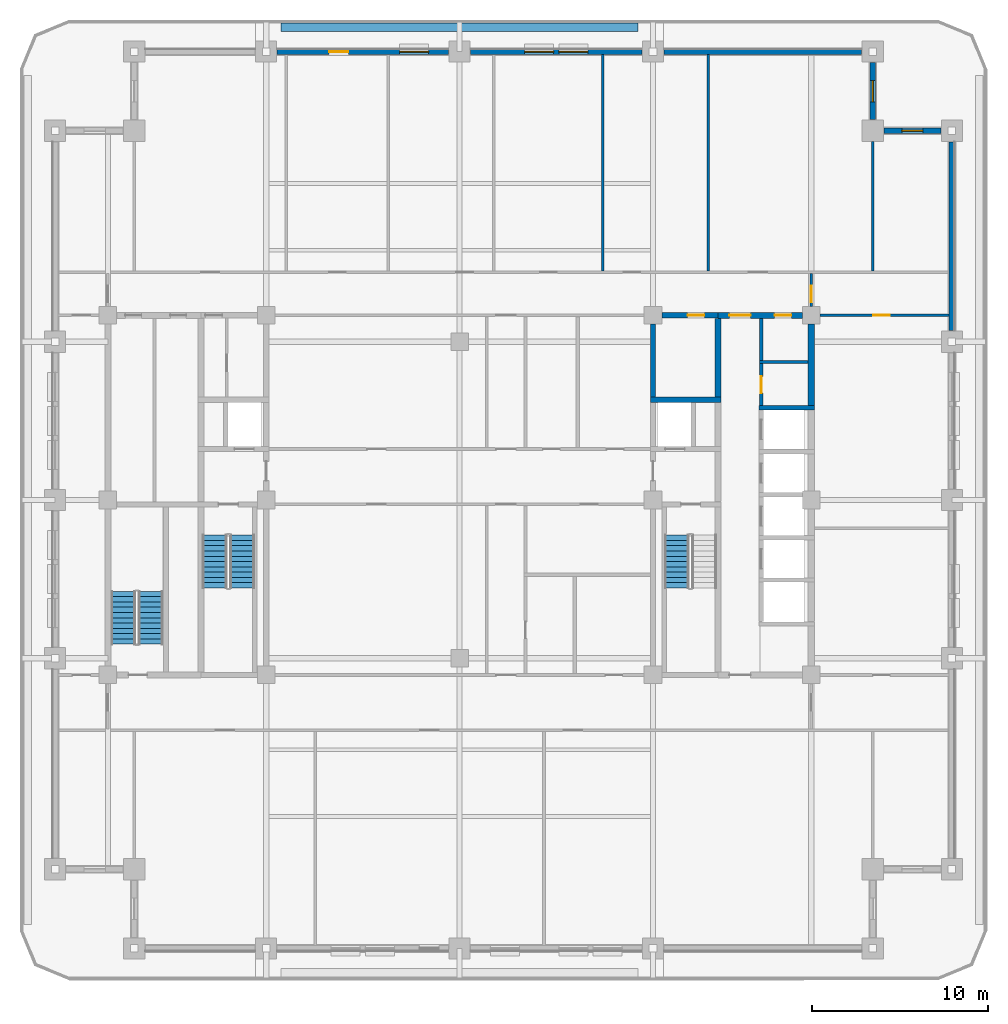
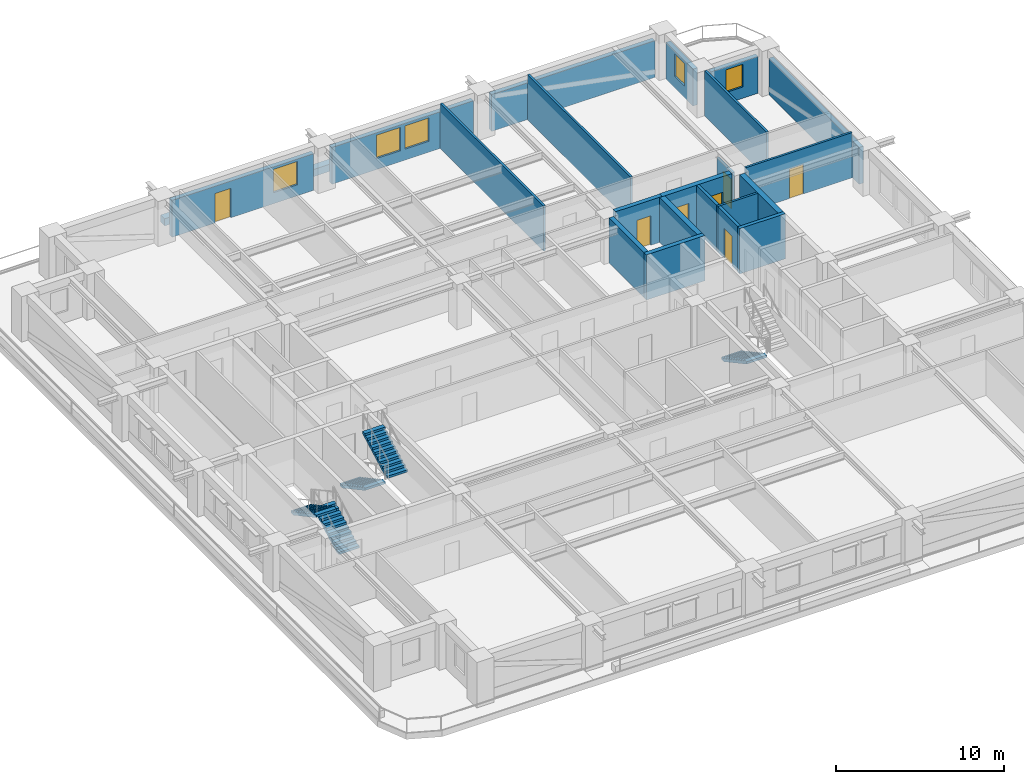
# One storey, part 6 of 14: 22 walls, 7 doors, 5 stair flights, 5 windows, 12 openings, 3 elements without a shape of their own.
"""IFC4 building model written with IfcOpenShell, lengths in metres."""

from ifc_helpers import new_model, si_unit, direction, frame, frame_2d, origin, place, context, subcontext, project, spatial, polyline, rectangle, outline, extrude, material, layer, layer_set, type_object, element, fill, aggregate, save


model = new_model("IFC4")

# Units and contexts
model_context = context("Model", 3, precision=1e-05, world=origin(), true_north=direction((0.0, 1.0)))
body_context = subcontext(model_context, "Body", "Model", "MODEL_VIEW")
ifc_project = project(units=[si_unit("LENGTHUNIT", "METRE"), si_unit("AREAUNIT", "SQUARE_METRE"), si_unit("VOLUMEUNIT", "CUBIC_METRE"), si_unit("PLANEANGLEUNIT", "RADIAN"), si_unit("MASSUNIT", "GRAM", prefix="KILO")], contexts=[model_context])

# Site, building, storey
site_placement = place(None, origin())
site = spatial("IfcSite", under=ifc_project, at=site_placement, CompositionType="ELEMENT")
building_placement = place(site_placement, origin())
building = spatial("IfcBuilding", under=site, at=building_placement, Name="Zulmaris Gate Convention Tower", CompositionType="ELEMENT")
storey_placement = place(building_placement, frame((0.0, 0.0, 94.929931640625)))
storey = spatial("IfcBuildingStorey", under=building, at=storey_placement, Name="L23", CompositionType="ELEMENT", Elevation=94.929931640625)

# Walls
ifc_material_1 = material(Name="Concrete C50/60", Category="concrete")
ifc_layer_1 = layer(ifc_material_1, 0.25, Name="Concrete C50/60")
ifc_layer_set_1 = layer_set([ifc_layer_1], Name="Concrete C50/60")
wall_type_1 = type_object("IfcWallType", Name="CORE-250", PredefinedType="SOLIDWALL", material=ifc_layer_set_1)
wall_1_placement = place(storey_placement, frame((17.02490234375, 5.25, 0.0), z_axis=(0.0, 0.0, 1.0), x_axis=(1.0, 0.0, 0.0)))
element("IfcWall", 1, at=wall_1_placement, inside=storey, type_object=wall_type_1, Name="WL-L23-014", PredefinedType="SOLIDWALL", context=body_context, shape_type="SweptSolid", body=[
    extrude(rectangle(XDim=3.150146484375, YDim=0.25, at=frame_2d((1.5751953125, 0.0))), origin(), (0.0, 0.0, 1.0), 3.295166015625),
])
ifc_layer_2 = layer(ifc_material_1, 0.300048828125, Name="Concrete C50/60")
ifc_layer_set_2 = layer_set([ifc_layer_2], Name="Concrete C50/60")
wall_type_2 = type_object("IfcWallType", Name="CORE-300", PredefinedType="SHEAR", material=ifc_layer_set_2)
wall_2_placement = place(storey_placement, frame((10.85009765625, 5.699951171875, 0.0), z_axis=(0.0, 0.0, 1.0), x_axis=(1.0, 0.0, 0.0)))
element("IfcWall", 2, at=wall_2_placement, inside=storey, type_object=wall_type_2, Name="WL-L23-016", PredefinedType="SHEAR", context=body_context, shape_type="SweptSolid", body=[
    extrude(rectangle(XDim=4.02490234375, YDim=0.300048828125, at=frame_2d((2.012451171875, 0.0))), origin(), (0.0, 0.0, 1.0), 3.295166015625),
])

# Wall, opening, door
wall_3_placement = place(storey_placement, frame((11.50390625, 10.5, 0.0), z_axis=(0.0, 0.0, 1.0), x_axis=(1.0, 0.0, 0.0)))
wall_3 = element("IfcWall", 3, at=wall_3_placement, inside=storey, type_object=wall_type_2, Name="WL-L23-019", PredefinedType="SHEAR", context=body_context, shape_type="SweptSolid", body=[
    extrude(rectangle(XDim=3.196044921875, YDim=0.300048828125, at=frame_2d((1.59814453125, 0.0))), origin(), (0.0, 0.0, 1.0), 3.295166015625),
])
opening_1_placement = place(wall_3_placement, frame((1.470947265625, 0.0, 0.0)))
opening_1 = element("IfcOpeningElement", 4, at=opening_1_placement, cuts=wall_3, Name="Opening D-11", PredefinedType="OPENING", context=body_context, shape_type="SweptSolid", body=[
    extrude(rectangle(XDim=0.949951171875, YDim=2.14990234375, at=frame_2d((0.47509765625, 1.074951171875))), frame((0.0, 0.16015625, 0.0), z_axis=(0.0, -1.0, 0.0), x_axis=(1.0, 0.0, 0.0)), (0.0, 0.0, 1.0), 0.320068359375),
])
ifc_material_2 = material(Name="Fire-Rated Timber", Category="wood")
door_type_1 = type_object("IfcDoorType", Name="DR-950-FD", OperationType="NOTDEFINED", PredefinedType="DOOR", material=ifc_material_2)
door_1_placement = place(opening_1_placement, origin())
door_1 = element("IfcDoor", 5, at=door_1_placement, inside=storey, type_object=door_type_1, Name="L23 Core Tea Pantry Door 09", OperationType="SINGLE_SWING_RIGHT", OverallHeight=2.14990234375, OverallWidth=0.949951171875, PredefinedType="DOOR", context=body_context, shape_type="SweptSolid", body=[
    extrude(rectangle(XDim=0.949951171875, YDim=2.14990234375, at=frame_2d((0.47509765625, 1.074951171875))), frame((0.0, 0.02490234375, 0.0), z_axis=(0.0, -1.0, 0.0), x_axis=(1.0, 0.0, 0.0)), (0.0, 0.0, 1.0), 0.050048828125),
])
fill(opening_1, door_1)

# Wall
wall_4_placement = place(storey_placement, frame((11.0, 5.85205078125, 0.0), z_axis=(0.0, 0.0, 1.0), x_axis=(0.0, 1.0, 0.0)))
element("IfcWall", 6, at=wall_4_placement, inside=storey, type_object=wall_type_2, Name="WL-L23-050", PredefinedType="SHEAR", context=body_context, shape_type="SweptSolid", body=[
    extrude(rectangle(XDim=4.14404296875, YDim=0.300048828125, at=frame_2d((2.072021484375, 0.0))), origin(), (0.0, 0.0, 1.0), 3.295166015625),
])

# Wall, openings, doors
ifc_material_3 = material(Name="Concrete C55/67", Category="concrete")
ifc_layer_3 = layer(ifc_material_3, 0.35009765625, Name="Concrete C55/67")
ifc_layer_set_3 = layer_set([ifc_layer_3], Name="Concrete C55/67")
wall_type_3 = type_object("IfcWallType", Name="CORE-350", PredefinedType="SHEAR", material=ifc_layer_set_3)
wall_5_placement = place(storey_placement, frame((14.699951171875, 10.5, 0.0), z_axis=(0.0, 0.0, 1.0), x_axis=(1.0, 0.0, 0.0)))
wall_5 = element("IfcWall", 7, at=wall_5_placement, inside=storey, type_object=wall_type_3, Name="WL-L23-020", PredefinedType="SHEAR", context=body_context, shape_type="SweptSolid", body=[
    extrude(rectangle(XDim=4.796142578125, YDim=0.35009765625, at=frame_2d((2.39794921875, 0.0))), origin(), (0.0, 0.0, 1.0), 3.295166015625),
])
opening_2_placement = place(wall_5_placement, frame((0.64990234375, 0.0, 0.0)))
opening_2 = element("IfcOpeningElement", 8, at=opening_2_placement, cuts=wall_5, Name="Opening D-13", PredefinedType="OPENING", context=body_context, shape_type="SweptSolid", body=[
    extrude(rectangle(XDim=1.199951171875, YDim=2.14990234375, at=frame_2d((0.60009765625, 1.074951171875))), frame((0.0, 0.18505859375, 0.0), z_axis=(0.0, -1.0, 0.0), x_axis=(1.0, 0.0, 0.0)), (0.0, 0.0, 1.0), 0.3701171875),
])
opening_3_placement = place(wall_5_placement, frame((3.22509765625, 0.0, 0.0)))
opening_3 = element("IfcOpeningElement", 9, at=opening_3_placement, cuts=wall_5, Name="Opening D-11", PredefinedType="OPENING", context=body_context, shape_type="SweptSolid", body=[
    extrude(rectangle(XDim=0.949951171875, YDim=2.14990234375, at=frame_2d((0.47509765625, 1.074951171875))), frame((0.0, 0.18505859375, 0.0), z_axis=(0.0, -1.0, 0.0), x_axis=(1.0, 0.0, 0.0)), (0.0, 0.0, 1.0), 0.3701171875),
])
ifc_material_4 = material(Name="Fire-Rated Steel", Category="steel")
door_type_2 = type_object("IfcDoorType", Name="DR-1200-FD", OperationType="NOTDEFINED", PredefinedType="DOOR", material=ifc_material_4)
door_2_placement = place(opening_2_placement, origin())
door_2 = element("IfcDoor", 10, at=door_2_placement, inside=storey, type_object=door_type_2, Name="L23 East Lift Lobby North Door 18", OperationType="SINGLE_SWING_LEFT", OverallHeight=2.14990234375, OverallWidth=1.199951171875, PredefinedType="DOOR", context=body_context, shape_type="SweptSolid", body=[
    extrude(rectangle(XDim=1.199951171875, YDim=2.14990234375, at=frame_2d((0.60009765625, 1.074951171875))), frame((0.0, 0.02490234375, 0.0), z_axis=(0.0, -1.0, 0.0), x_axis=(1.0, 0.0, 0.0)), (0.0, 0.0, 1.0), 0.050048828125),
])
fill(opening_2, door_2)
door_3_placement = place(opening_3_placement, origin())
door_3 = element("IfcDoor", 11, at=door_3_placement, inside=storey, type_object=door_type_1, Name="L23 Mid-Rise Supply Door 19", OperationType="SINGLE_SWING_RIGHT", OverallHeight=2.14990234375, OverallWidth=0.949951171875, PredefinedType="DOOR", context=body_context, shape_type="SweptSolid", body=[
    extrude(rectangle(XDim=0.949951171875, YDim=2.14990234375, at=frame_2d((0.47509765625, 1.074951171875))), frame((0.0, 0.02490234375, 0.0), z_axis=(0.0, -1.0, 0.0), x_axis=(1.0, 0.0, 0.0)), (0.0, 0.0, 1.0), 0.050048828125),
])
fill(opening_3, door_3)

# Walls
wall_6_placement = place(storey_placement, frame((14.699951171875, 5.85205078125, 0.0), z_axis=(0.0, 0.0, 1.0), x_axis=(0.0, 1.0, 0.0)))
element("IfcWall", 12, at=wall_6_placement, inside=storey, type_object=wall_type_3, Name="WL-L23-056", PredefinedType="SHEAR", context=body_context, shape_type="SweptSolid", body=[
    extrude(rectangle(XDim=4.470947265625, YDim=0.35009765625, at=frame_2d((2.2353515625, 0.0))), origin(), (0.0, 0.0, 1.0), 3.295166015625),
])
wall_7_placement = place(storey_placement, frame((20.0, 5.376953125, 0.0), z_axis=(0.0, 0.0, 1.0), x_axis=(0.0, 1.0, 0.0)))
element("IfcWall", 13, at=wall_7_placement, inside=storey, type_object=wall_type_3, Name="WL-L23-068", PredefinedType="SHEAR", context=body_context, shape_type="SweptSolid", body=[
    extrude(rectangle(XDim=4.619140625, YDim=0.35009765625, at=frame_2d((2.3095703125, 0.0))), origin(), (0.0, 0.0, 1.0), 3.295166015625),
])
ifc_material_5 = material(Name="Gypsum Metal Stud Partition")
ifc_layer_4 = layer(ifc_material_5, 0.14990234375, Name="Gypsum Metal Stud Partition")
ifc_layer_set_4 = layer_set([ifc_layer_4], Name="Gypsum Metal Stud Partition")
wall_type_4 = type_object("IfcWallType", Name="PART-150", PredefinedType="PARTITIONING", material=ifc_layer_set_4)
wall_8_placement = place(storey_placement, frame((17.050048828125, 7.85009765625, 0.0), z_axis=(0.0, 0.0, 1.0), x_axis=(1.0, 0.0, 0.0)))
element("IfcWall", 14, at=wall_8_placement, inside=storey, type_object=wall_type_4, Name="WL-L23-029", PredefinedType="PARTITIONING", context=body_context, shape_type="SweptSolid", body=[
    extrude(rectangle(XDim=2.77197265625, YDim=0.14990234375, at=frame_2d((1.385986328125, 0.0))), origin(), (0.0, 0.0, 1.0), 3.295166015625),
])

# Wall, opening, door
wall_9_placement = place(storey_placement, frame((20.506103515625, 10.5, 0.0), z_axis=(0.0, 0.0, 1.0), x_axis=(1.0, 0.0, 0.0)))
wall_9 = element("IfcWall", 15, at=wall_9_placement, inside=storey, type_object=wall_type_4, Name="WL-L23-032", PredefinedType="PARTITIONING", context=body_context, shape_type="SweptSolid", body=[
    extrude(rectangle(XDim=7.328857421875, YDim=0.14990234375, at=frame_2d((3.66455078125, 0.0))), origin(), (0.0, 0.0, 1.0), 3.295166015625),
])
opening_4_placement = place(wall_9_placement, frame((3.01904296875, 0.0, 0.0)))
opening_4 = element("IfcOpeningElement", 16, at=opening_4_placement, cuts=wall_9, Name="Opening D-11", PredefinedType="OPENING", context=body_context, shape_type="SweptSolid", body=[
    extrude(rectangle(XDim=0.949951171875, YDim=2.14990234375, at=frame_2d((0.47509765625, 1.074951171875))), frame((0.0, 0.0849609375, 0.0), z_axis=(0.0, -1.0, 0.0), x_axis=(1.0, 0.0, 0.0)), (0.0, 0.0, 1.0), 0.169921875),
])
door_4_placement = place(opening_4_placement, origin())
door_4 = element("IfcDoor", 17, at=door_4_placement, inside=storey, type_object=door_type_1, Name="L23 NE Partner Door 47", OperationType="SINGLE_SWING_RIGHT", OverallHeight=2.14990234375, OverallWidth=0.949951171875, PredefinedType="DOOR", context=body_context, shape_type="SweptSolid", body=[
    extrude(rectangle(XDim=0.949951171875, YDim=2.14990234375, at=frame_2d((0.47509765625, 1.074951171875))), frame((0.0, 0.02490234375, 0.0), z_axis=(0.0, -1.0, 0.0), x_axis=(1.0, 0.0, 0.0)), (0.0, 0.0, 1.0), 0.050048828125),
])
fill(opening_4, door_4)

# Walls
for number, where, z_axis, x_axis, name in (
    (18, (8.14990234375, 13.028076171875, 0.0), (0.0, 0.0, 1.0), (0.0, 1.0, 0.0), "WL-L23-087"),
    (19, (14.14990234375, 13.028076171875, 0.0), (0.0, 0.0, 1.0), (0.0, 1.0, 0.0), "WL-L23-088"),
):
    element("IfcWall", number, at=place(storey_placement, frame(where, z_axis=z_axis, x_axis=x_axis)), inside=storey, type_object=wall_type_4, Name=name, PredefinedType="PARTITIONING", context=body_context, shape_type="SweptSolid", body=[
        extrude(rectangle(XDim=12.306884765625, YDim=0.14990234375, at=frame_2d((6.1533203125, 0.0))), origin(), (0.0, 0.0, 1.0), 3.295166015625),
    ])

# Wall, opening, door
wall_10_placement = place(storey_placement, frame((20.0, 11.006103515625, 0.0), z_axis=(0.0, 0.0, 1.0), x_axis=(0.0, 1.0, 0.0)))
wall_10 = element("IfcWall", 20, at=wall_10_placement, inside=storey, type_object=wall_type_4, Name="WL-L23-092", PredefinedType="PARTITIONING", context=body_context, shape_type="SweptSolid", body=[
    extrude(rectangle(XDim=1.865966796875, YDim=0.14990234375, at=frame_2d((0.93310546875, 0.0))), origin(), (0.0, 0.0, 1.0), 2.78515625),
])
opening_5_placement = place(wall_10_placement, frame((0.239013671875, 0.0, 0.0)))
opening_5 = element("IfcOpeningElement", 21, at=opening_5_placement, cuts=wall_10, Name="Opening D-11", PredefinedType="OPENING", context=body_context, shape_type="SweptSolid", body=[
    extrude(rectangle(XDim=0.949951171875, YDim=2.14990234375, at=frame_2d((0.47509765625, 1.074951171875))), frame((0.0, 0.0849609375, 0.0), z_axis=(0.0, -1.0, 0.0), x_axis=(1.0, 0.0, 0.0)), (0.0, 0.0, 1.0), 0.169921875),
])
door_5_placement = place(opening_5_placement, origin())
door_5 = element("IfcDoor", 22, at=door_5_placement, inside=storey, type_object=door_type_1, Name="L23 NE Spur Door 45", OperationType="SINGLE_SWING_RIGHT", OverallHeight=2.14990234375, OverallWidth=0.949951171875, PredefinedType="DOOR", context=body_context, shape_type="SweptSolid", body=[
    extrude(rectangle(XDim=0.949951171875, YDim=2.14990234375, at=frame_2d((0.47509765625, 1.074951171875))), frame((0.0, 0.02490234375, 0.0), z_axis=(0.0, -1.0, 0.0), x_axis=(1.0, 0.0, 0.0)), (0.0, 0.0, 1.0), 0.050048828125),
])
fill(opening_5, door_5)

# Wall
wall_11_placement = place(storey_placement, frame((23.5, 13.028076171875, 0.0), z_axis=(0.0, 0.0, 1.0), x_axis=(0.0, 1.0, 0.0)))
element("IfcWall", 23, at=wall_11_placement, inside=storey, type_object=wall_type_4, Name="WL-L23-094", PredefinedType="PARTITIONING", context=body_context, shape_type="SweptSolid", body=[
    extrude(rectangle(XDim=7.365966796875, YDim=0.14990234375, at=frame_2d((3.68310546875, 0.0))), origin(), (0.0, 0.0, 1.0), 3.295166015625),
])

# Wall, opening, door
ifc_material_6 = material(Name="Autoclaved Aerated Concrete Block and Plasterboard", Category="concrete")
ifc_layer_5 = layer(ifc_material_6, 0.199951171875, Name="Autoclaved Aerated Concrete Block and Plasterboard")
ifc_layer_set_5 = layer_set([ifc_layer_5], Name="Autoclaved Aerated Concrete Block and Plasterboard")
wall_type_5 = type_object("IfcWallType", Name="PART-200", PredefinedType="PARTITIONING", material=ifc_layer_set_5)
wall_12_placement = place(storey_placement, frame((17.14990234375, 5.3779296875, 0.0), z_axis=(0.0, 0.0, 1.0), x_axis=(0.0, 1.0, 0.0)))
wall_12 = element("IfcWall", 24, at=wall_12_placement, inside=storey, type_object=wall_type_5, Name="WL-L23-089", PredefinedType="PARTITIONING", context=body_context, shape_type="SweptSolid", body=[
    extrude(rectangle(XDim=2.39404296875, YDim=0.199951171875, at=frame_2d((1.197021484375, 0.0))), origin(), (0.0, 0.0, 1.0), 3.295166015625),
])
opening_6_placement = place(wall_12_placement, frame((0.697021484375, 0.0, 0.0)))
opening_6 = element("IfcOpeningElement", 25, at=opening_6_placement, cuts=wall_12, Name="Opening D-11", PredefinedType="OPENING", context=body_context, shape_type="SweptSolid", body=[
    extrude(rectangle(XDim=0.949951171875, YDim=2.14990234375, at=frame_2d((0.47509765625, 1.074951171875))), frame((0.0, 0.10986328125, 0.0), z_axis=(0.0, -1.0, 0.0), x_axis=(1.0, 0.0, 0.0)), (0.0, 0.0, 1.0), 0.219970703125),
])
door_6_placement = place(opening_6_placement, origin())
door_6 = element("IfcDoor", 26, at=door_6_placement, inside=storey, type_object=door_type_1, Name="L23 Mid-Rise Meter Door 20", OperationType="SINGLE_SWING_LEFT", OverallHeight=2.14990234375, OverallWidth=0.949951171875, PredefinedType="DOOR", context=body_context, shape_type="SweptSolid", body=[
    extrude(rectangle(XDim=0.949951171875, YDim=2.14990234375, at=frame_2d((0.47509765625, 1.074951171875))), frame((0.0, 0.02490234375, 0.0), z_axis=(0.0, -1.0, 0.0), x_axis=(1.0, 0.0, 0.0)), (0.0, 0.0, 1.0), 0.050048828125),
])
fill(opening_6, door_6)

# Walls
wall_13_placement = place(storey_placement, frame((17.14990234375, 7.927978515625, 0.0), z_axis=(0.0, 0.0, 1.0), x_axis=(0.0, 1.0, 0.0)))
element("IfcWall", 27, at=wall_13_placement, inside=storey, type_object=wall_type_5, Name="WL-L23-090", PredefinedType="PARTITIONING", context=body_context, shape_type="SweptSolid", body=[
    extrude(rectangle(XDim=2.39404296875, YDim=0.199951171875, at=frame_2d((1.197021484375, 0.0))), origin(), (0.0, 0.0, 1.0), 3.295166015625),
])
ifc_material_7 = material(Name="Botanical Green Glazed Precast Concrete C40/50", Category="concrete")
ifc_layer_6 = layer(ifc_material_7, 0.419921875, Name="Botanical Green Glazed Precast Concrete C40/50")
ifc_layer_set_6 = layer_set([ifc_layer_6], Name="Botanical Green Glazed Precast Concrete C40/50")
wall_type_6 = type_object("IfcWallType", Name="PLANTER-CURB-200", PredefinedType="PARAPET", material=ifc_layer_set_6)
wall_14_placement = place(storey_placement, frame((-10.14990234375, 26.8798828125, -0.0400390625), z_axis=(0.0, 0.0, 1.0), x_axis=(1.0, 0.0, 0.0)))
element("IfcWall", 28, at=wall_14_placement, inside=storey, type_object=wall_type_6, Name="L23 Full-Length Balcony Tree Planter Trough", PredefinedType="PARAPET", context=body_context, shape_type="SweptSolid", body=[
    extrude(rectangle(XDim=20.2998046875, YDim=0.47998046875, at=frame_2d((10.14990234375, 0.0))), origin(), (0.0, 0.0, 1.0), 0.52001953125),
])

# Wall, opening, window
ifc_material_8 = material(Name="Precast concrete C40/50", Category="concrete")
ifc_layer_7 = layer(ifc_material_8, 0.300048828125, Name="Precast concrete C40/50")
ifc_layer_set_7 = layer_set([ifc_layer_7], Name="Precast concrete C40/50")
wall_type_7 = type_object("IfcWallType", Name="PRECAST-PIER-300", PredefinedType="STANDARD", material=ifc_layer_set_7)
wall_15_placement = place(storey_placement, frame((27.3701171875, 21.0, 0.0), z_axis=(0.0, 0.0, 1.0), x_axis=(-1.0, 0.0, 0.0)))
wall_15 = element("IfcWall", 29, at=wall_15_placement, inside=storey, type_object=wall_type_7, Name="EW-L23-NOTCH-NE1_0", PredefinedType="STANDARD", context=body_context, shape_type="SweptSolid", body=[
    extrude(rectangle(XDim=3.240234375, YDim=0.300048828125, at=frame_2d((1.6201171875, 0.0))), origin(), (0.0, 0.0, 1.0), 2.68701171875),
])
opening_7_placement = place(wall_15_placement, frame((1.02001953125, 0.0, 0.820068359375)))
opening_7 = element("IfcOpeningElement", 30, at=opening_7_placement, cuts=wall_15, Name="Opening W-04", PredefinedType="OPENING", context=body_context, shape_type="SweptSolid", body=[
    extrude(rectangle(XDim=1.199951171875, YDim=1.64990234375, at=frame_2d((0.60009765625, 0.824951171875))), frame((0.0, 0.16015625, 0.0), z_axis=(0.0, -1.0, 0.0), x_axis=(1.0, 0.0, 0.0)), (0.0, 0.0, 1.0), 0.320068359375),
])
ifc_material_9 = material(Name="Low-E Laminated Double Glazing in Aluminium Frame", Category="aluminium")
window_type_1 = type_object("IfcWindowType", Name="WIN-1200x2100", PartitioningType="SINGLE_PANEL", PredefinedType="WINDOW", material=ifc_material_9)
window_1_placement = place(opening_7_placement, origin())
window_1 = element("IfcWindow", 31, at=window_1_placement, inside=storey, type_object=window_type_1, Name="WN-EW-L23-NOTCH-NE1_0", OverallHeight=1.64990234375, OverallWidth=1.199951171875, PartitioningType="SINGLE_PANEL", PredefinedType="WINDOW", context=body_context, shape_type="SweptSolid", body=[
    extrude(rectangle(XDim=1.199951171875, YDim=1.64990234375, at=frame_2d((0.60009765625, 0.824951171875))), frame((0.0, 0.030029296875, 0.0), z_axis=(0.0, -1.0, 0.0), x_axis=(1.0, 0.0, 0.0)), (0.0, 0.0, 1.0), 0.06005859375),
])
fill(opening_7, window_1)

wall_16_placement = place(storey_placement, frame((23.5, 21.6298828125, 0.0), z_axis=(0.0, 0.0, 1.0), x_axis=(0.0, 1.0, 0.0)))
wall_16 = element("IfcWall", 32, at=wall_16_placement, inside=storey, type_object=wall_type_7, Name="EW-L23-NOTCH-NE2_0", PredefinedType="STANDARD", context=body_context, shape_type="SweptSolid", body=[
    extrude(rectangle(XDim=3.240234375, YDim=0.300048828125, at=frame_2d((1.6201171875, 0.0))), origin(), (0.0, 0.0, 1.0), 2.68701171875),
])
opening_8_placement = place(wall_16_placement, frame((1.02001953125, 0.0, 0.820068359375)))
opening_8 = element("IfcOpeningElement", 33, at=opening_8_placement, cuts=wall_16, Name="Opening W-04", PredefinedType="OPENING", context=body_context, shape_type="SweptSolid", body=[
    extrude(rectangle(XDim=1.199951171875, YDim=1.64990234375, at=frame_2d((0.60009765625, 0.824951171875))), frame((0.0, 0.16015625, 0.0), z_axis=(0.0, -1.0, 0.0), x_axis=(1.0, 0.0, 0.0)), (0.0, 0.0, 1.0), 0.320068359375),
])
window_2_placement = place(opening_8_placement, origin())
window_2 = element("IfcWindow", 34, at=window_2_placement, inside=storey, type_object=window_type_1, Name="WN-EW-L23-NOTCH-NE2_0", OverallHeight=1.64990234375, OverallWidth=1.199951171875, PartitioningType="SINGLE_PANEL", PredefinedType="WINDOW", context=body_context, shape_type="SweptSolid", body=[
    extrude(rectangle(XDim=1.199951171875, YDim=1.64990234375, at=frame_2d((0.60009765625, 0.824951171875))), frame((0.0, 0.030029296875, 0.0), z_axis=(0.0, -1.0, 0.0), x_axis=(1.0, 0.0, 0.0)), (0.0, 0.0, 1.0), 0.06005859375),
])
fill(opening_8, window_2)

# Wall, openings, door, window
wall_17_placement = place(storey_placement, frame((-0.6298828125, 25.5, 0.0), z_axis=(0.0, 0.0, 1.0), x_axis=(-1.0, 0.0, 0.0)))
wall_17 = element("IfcWall", 35, at=wall_17_placement, inside=storey, type_object=wall_type_7, Name="EW-L23-N-1_0", PredefinedType="STANDARD", context=body_context, shape_type="SweptSolid", body=[
    extrude(rectangle(XDim=9.740234375, YDim=0.300048828125, at=frame_2d((4.8701171875, 0.0))), origin(), (0.0, 0.0, 1.0), 2.68701171875),
])
opening_9_placement = place(wall_17_placement, frame((5.693115234375, 0.0, 0.0)))
opening_9 = element("IfcOpeningElement", 36, at=opening_9_placement, cuts=wall_17, Name="Opening D-04", PredefinedType="OPENING", context=body_context, shape_type="SweptSolid", body=[
    extrude(rectangle(XDim=1.10009765625, YDim=2.14990234375, at=frame_2d((0.550048828125, 1.074951171875))), frame((0.0, 0.16015625, 0.0), z_axis=(0.0, -1.0, 0.0), x_axis=(1.0, 0.0, 0.0)), (0.0, 0.0, 1.0), 0.320068359375),
])
opening_10_placement = place(wall_17_placement, frame((1.123046875, 0.0, 0.800048828125)))
opening_10 = element("IfcOpeningElement", 37, at=opening_10_placement, cuts=wall_17, Name="Opening W-08", PredefinedType="OPENING", context=body_context, shape_type="SweptSolid", body=[
    extrude(rectangle(XDim=1.64990234375, YDim=1.699951171875, at=frame_2d((0.824951171875, 0.85009765625))), frame((0.0, 0.16015625, 0.0), z_axis=(0.0, -1.0, 0.0), x_axis=(1.0, 0.0, 0.0)), (0.0, 0.0, 1.0), 0.320068359375),
])
ifc_material_10 = material(Name="Anodised Aluminium and Laminated Glass", Category="aluminium")
door_type_3 = type_object("IfcDoorType", Name="ED-1100", OperationType="SINGLE_SWING_RIGHT", PredefinedType="DOOR", material=ifc_material_10)
door_7_placement = place(opening_9_placement, origin())
door_7 = element("IfcDoor", 38, at=door_7_placement, inside=storey, type_object=door_type_3, Name="L23 N Planted Terrace Door", OperationType="SINGLE_SWING_LEFT", OverallHeight=2.14990234375, OverallWidth=1.10009765625, PredefinedType="DOOR", context=body_context, shape_type="SweptSolid", body=[
    extrude(rectangle(XDim=1.10009765625, YDim=2.14990234375, at=frame_2d((0.550048828125, 1.074951171875))), frame((0.0, 0.02490234375, 0.0), z_axis=(0.0, -1.0, 0.0), x_axis=(1.0, 0.0, 0.0)), (0.0, 0.0, 1.0), 0.050048828125),
])
fill(opening_9, door_7)
window_type_2 = type_object("IfcWindowType", Name="WIN-1650x2150", PartitioningType="SINGLE_PANEL", PredefinedType="WINDOW", material=ifc_material_9)
window_3_placement = place(opening_10_placement, origin())
window_3 = element("IfcWindow", 39, at=window_3_placement, inside=storey, type_object=window_type_2, Name="WN-EW-L23-N-1_0-1", OverallHeight=1.699951171875, OverallWidth=1.64990234375, PartitioningType="SINGLE_PANEL", PredefinedType="WINDOW", context=body_context, shape_type="SweptSolid", body=[
    extrude(rectangle(XDim=1.64990234375, YDim=1.699951171875, at=frame_2d((0.824951171875, 0.85009765625))), frame((0.0, 0.030029296875, 0.0), z_axis=(0.0, -1.0, 0.0), x_axis=(1.0, 0.0, 0.0)), (0.0, 0.0, 1.0), 0.06005859375),
])
fill(opening_10, window_3)

# Wall, openings, windows
wall_18_placement = place(storey_placement, frame((10.3701171875, 25.5, 0.0), z_axis=(0.0, 0.0, 1.0), x_axis=(-1.0, 0.0, 0.0)))
wall_18 = element("IfcWall", 40, at=wall_18_placement, inside=storey, type_object=wall_type_7, Name="EW-L23-N-2_0", PredefinedType="STANDARD", context=body_context, shape_type="SweptSolid", body=[
    extrude(rectangle(XDim=9.740234375, YDim=0.300048828125, at=frame_2d((4.8701171875, 0.0))), origin(), (0.0, 0.0, 1.0), 2.68701171875),
])
opening_11_placement = place(wall_18_placement, frame((3.071044921875, 0.0, 0.800048828125)))
opening_11 = element("IfcOpeningElement", 41, at=opening_11_placement, cuts=wall_18, Name="Opening W-08", PredefinedType="OPENING", context=body_context, shape_type="SweptSolid", body=[
    extrude(rectangle(XDim=1.64990234375, YDim=1.699951171875, at=frame_2d((0.824951171875, 0.85009765625))), frame((0.0, 0.16015625, 0.0), z_axis=(0.0, -1.0, 0.0), x_axis=(1.0, 0.0, 0.0)), (0.0, 0.0, 1.0), 0.320068359375),
])
opening_12_placement = place(wall_18_placement, frame((5.01904296875, 0.0, 0.800048828125)))
opening_12 = element("IfcOpeningElement", 42, at=opening_12_placement, cuts=wall_18, Name="Opening W-08", PredefinedType="OPENING", context=body_context, shape_type="SweptSolid", body=[
    extrude(rectangle(XDim=1.64990234375, YDim=1.699951171875, at=frame_2d((0.824951171875, 0.85009765625))), frame((0.0, 0.16015625, 0.0), z_axis=(0.0, -1.0, 0.0), x_axis=(1.0, 0.0, 0.0)), (0.0, 0.0, 1.0), 0.320068359375),
])
window_4_placement = place(opening_11_placement, origin())
window_4 = element("IfcWindow", 43, at=window_4_placement, inside=storey, type_object=window_type_2, Name="WN-EW-L23-N-2_0-2", OverallHeight=1.699951171875, OverallWidth=1.64990234375, PartitioningType="SINGLE_PANEL", PredefinedType="WINDOW", context=body_context, shape_type="SweptSolid", body=[
    extrude(rectangle(XDim=1.64990234375, YDim=1.699951171875, at=frame_2d((0.824951171875, 0.85009765625))), frame((0.0, 0.030029296875, 0.0), z_axis=(0.0, -1.0, 0.0), x_axis=(1.0, 0.0, 0.0)), (0.0, 0.0, 1.0), 0.06005859375),
])
fill(opening_11, window_4)
window_5_placement = place(opening_12_placement, origin())
window_5 = element("IfcWindow", 44, at=window_5_placement, inside=storey, type_object=window_type_2, Name="WN-EW-L23-N-2_0-3", OverallHeight=1.699951171875, OverallWidth=1.64990234375, PartitioningType="SINGLE_PANEL", PredefinedType="WINDOW", context=body_context, shape_type="SweptSolid", body=[
    extrude(rectangle(XDim=1.64990234375, YDim=1.699951171875, at=frame_2d((0.824951171875, 0.85009765625))), frame((0.0, 0.030029296875, 0.0), z_axis=(0.0, -1.0, 0.0), x_axis=(1.0, 0.0, 0.0)), (0.0, 0.0, 1.0), 0.06005859375),
])
fill(opening_12, window_5)

# Walls
wall_19_placement = place(storey_placement, frame((22.8701171875, 25.5, 0.0), z_axis=(0.0, 0.0, 1.0), x_axis=(-1.0, 0.0, 0.0)))
element("IfcWall", 45, at=wall_19_placement, inside=storey, type_object=wall_type_7, Name="EW-L23-N-3_0", PredefinedType="STANDARD", context=body_context, shape_type="SweptSolid", body=[
    extrude(rectangle(XDim=11.240234375, YDim=0.300048828125, at=frame_2d((5.6201171875, 0.0))), origin(), (0.0, 0.0, 1.0), 2.68701171875),
])
wall_20_placement = place(storey_placement, frame((28.0, 9.6298828125, 0.0), z_axis=(0.0, 0.0, 1.0), x_axis=(0.0, 1.0, 0.0)))
element("IfcWall", 46, at=wall_20_placement, inside=storey, type_object=wall_type_7, Name="EW-L23-E-3_0", PredefinedType="STANDARD", context=body_context, shape_type="SweptSolid", body=[
    extrude(rectangle(XDim=10.740234375, YDim=0.300048828125, at=frame_2d((5.3701171875, 0.0))), origin(), (0.0, 0.0, 1.0), 2.68701171875),
])

# Stair, stair flights
ifc_material_11 = material(Name="Concrete C45/55", Category="concrete")
stair_type = type_object("IfcStairType", Name="ST-CORE-DOGLEG", PredefinedType="HALF_TURN_STAIR", material=ifc_material_11)
stair_1_placement = place(storey_placement, origin())
stair_1 = element("IfcStair", 47, at=stair_1_placement, inside=storey, type_object=stair_type, Name="L23 Core Exit Stair ST-1", PredefinedType="HALF_TURN_STAIR")
ifc_layer_8 = layer(ifc_material_11, 0.14990234375, Name="Concrete C45/55")
ifc_layer_set_8 = layer_set([ifc_layer_8], Name="Concrete C45/55")
stair_flight_type = type_object("IfcStairFlightType", Name="STF-RC150", PredefinedType="STRAIGHT", material=ifc_layer_set_8)
stair_flight_1_placement = place(storey_placement, frame((-13.919921875, -2.0, 0.0), z_axis=(0.0, 0.0, 1.0), x_axis=(0.0, -1.0, 0.0)))
stair_flight_1 = element("IfcStairFlight", 48, at=stair_flight_1_placement, type_object=stair_flight_type, Name="ST-1 flight 1", NumberOfRisers=11, NumberOfTreads=10, PredefinedType="STRAIGHT", RiserHeight=0.162277273, TreadLength=0.3, context=body_context, shape_type="SweptSolid", body=[
    extrude(outline(polyline([(0.0, 0.0), (0.0, 0.162353515625), (0.300048828125, 0.162353515625), (0.300048828125, 0.324462890625), (0.60009765625, 0.324462890625), (0.60009765625, 0.48681640625), (0.89990234375, 0.48681640625), (0.89990234375, 0.649169921875), (1.199951171875, 0.649169921875), (1.199951171875, 0.811279296875), (1.5, 0.811279296875), (1.5, 0.9736328125), (1.800048828125, 0.9736328125), (1.800048828125, 1.135986328125), (2.10009765625, 1.135986328125), (2.10009765625, 1.29833984375), (2.39990234375, 1.29833984375), (2.39990234375, 1.46044921875), (2.699951171875, 1.46044921875), (2.699951171875, 1.622802734375), (3.0, 1.622802734375), (3.0, 1.78515625), (3.0, 1.452392578125), (0.315185546875, 0.0), (0.0, 0.0)])), frame((0.0, 0.699951171875, 0.0), z_axis=(0.0, -1.0, 0.0), x_axis=(1.0, 0.0, 0.0)), (0.0, 0.0, 1.0), 1.39990234375),
])
stair_flight_2_placement = place(storey_placement, frame((-12.360107421875, -5.0, 1.784912109375), z_axis=(0.0, 0.0, 1.0), x_axis=(0.0, 1.0, 0.0)))
stair_flight_2 = element("IfcStairFlight", 49, at=stair_flight_2_placement, type_object=stair_flight_type, Name="ST-1 flight 2", NumberOfRisers=11, NumberOfTreads=10, PredefinedType="STRAIGHT", RiserHeight=0.162277273, TreadLength=0.3, context=body_context, shape_type="SweptSolid", body=[
    extrude(outline(polyline([(0.0, 0.0), (0.0, 0.162353515625), (0.300048828125, 0.162353515625), (0.300048828125, 0.324462890625), (0.60009765625, 0.324462890625), (0.60009765625, 0.48681640625), (0.89990234375, 0.48681640625), (0.89990234375, 0.649169921875), (1.199951171875, 0.649169921875), (1.199951171875, 0.811279296875), (1.5, 0.811279296875), (1.5, 0.9736328125), (1.800048828125, 0.9736328125), (1.800048828125, 1.135986328125), (2.10009765625, 1.135986328125), (2.10009765625, 1.29833984375), (2.39990234375, 1.29833984375), (2.39990234375, 1.46044921875), (2.699951171875, 1.46044921875), (2.699951171875, 1.622802734375), (3.0, 1.622802734375), (3.0, 1.78515625), (3.0, 1.452392578125), (0.315185546875, 0.0), (0.0, 0.0)])), frame((0.0, 0.699951171875, 0.0), z_axis=(0.0, -1.0, 0.0), x_axis=(1.0, 0.0, 0.0)), (0.0, 0.0, 1.0), 1.39990234375),
])
aggregate(stair_1, [stair_flight_1, stair_flight_2])

# Stair, stair flight
stair_2_placement = place(storey_placement, origin())
stair_2 = element("IfcStair", 50, at=stair_2_placement, inside=storey, type_object=stair_type, Name="L23 Core Exit Stair ST-2", PredefinedType="HALF_TURN_STAIR")
stair_flight_3_placement = place(storey_placement, frame((12.360107421875, -2.0, 0.0), z_axis=(0.0, 0.0, 1.0), x_axis=(0.0, -1.0, 0.0)))
stair_flight_3 = element("IfcStairFlight", 51, at=stair_flight_3_placement, type_object=stair_flight_type, Name="ST-2 flight 1", NumberOfRisers=11, NumberOfTreads=10, PredefinedType="STRAIGHT", RiserHeight=0.162277273, TreadLength=0.3, context=body_context, shape_type="SweptSolid", body=[
    extrude(outline(polyline([(0.0, 0.0), (0.0, 0.162353515625), (0.300048828125, 0.162353515625), (0.300048828125, 0.324462890625), (0.60009765625, 0.324462890625), (0.60009765625, 0.48681640625), (0.89990234375, 0.48681640625), (0.89990234375, 0.649169921875), (1.199951171875, 0.649169921875), (1.199951171875, 0.811279296875), (1.5, 0.811279296875), (1.5, 0.9736328125), (1.800048828125, 0.9736328125), (1.800048828125, 1.135986328125), (2.10009765625, 1.135986328125), (2.10009765625, 1.29833984375), (2.39990234375, 1.29833984375), (2.39990234375, 1.46044921875), (2.699951171875, 1.46044921875), (2.699951171875, 1.622802734375), (3.0, 1.622802734375), (3.0, 1.78515625), (3.0, 1.452392578125), (0.315185546875, 0.0), (0.0, 0.0)])), frame((0.0, 0.699951171875, 0.0), z_axis=(0.0, -1.0, 0.0), x_axis=(1.0, 0.0, 0.0)), (0.0, 0.0, 1.0), 1.39990234375),
])
aggregate(stair_2, [stair_flight_3])

# Stair, stair flights
stair_3_placement = place(storey_placement, origin())
stair_3 = element("IfcStair", 52, at=stair_3_placement, inside=storey, type_object=stair_type, Name="L23 Core Exit Stair ST-3", PredefinedType="HALF_TURN_STAIR")
stair_flight_4_placement = place(storey_placement, frame((-17.56005859375, -8.199951171875, 0.0), z_axis=(0.0, 0.0, 1.0), x_axis=(0.0, 1.0, 0.0)))
stair_flight_4 = element("IfcStairFlight", 53, at=stair_flight_4_placement, type_object=stair_flight_type, Name="ST-3 flight 1", NumberOfRisers=11, NumberOfTreads=10, PredefinedType="STRAIGHT", RiserHeight=0.162277273, TreadLength=0.3, context=body_context, shape_type="SweptSolid", body=[
    extrude(outline(polyline([(0.0, 0.0), (0.0, 0.162353515625), (0.300048828125, 0.162353515625), (0.300048828125, 0.324462890625), (0.60009765625, 0.324462890625), (0.60009765625, 0.48681640625), (0.89990234375, 0.48681640625), (0.89990234375, 0.649169921875), (1.199951171875, 0.649169921875), (1.199951171875, 0.811279296875), (1.5, 0.811279296875), (1.5, 0.9736328125), (1.800048828125, 0.9736328125), (1.800048828125, 1.135986328125), (2.10009765625, 1.135986328125), (2.10009765625, 1.29833984375), (2.39990234375, 1.29833984375), (2.39990234375, 1.46044921875), (2.699951171875, 1.46044921875), (2.699951171875, 1.622802734375), (3.0, 1.622802734375), (3.0, 1.78515625), (3.0, 1.452392578125), (0.315185546875, 0.0), (0.0, 0.0)])), frame((0.0, 0.699951171875, 0.0), z_axis=(0.0, -1.0, 0.0), x_axis=(1.0, 0.0, 0.0)), (0.0, 0.0, 1.0), 1.39990234375),
])
stair_flight_5_placement = place(storey_placement, frame((-19.1201171875, -5.199951171875, 1.784912109375), z_axis=(0.0, 0.0, 1.0), x_axis=(0.0, -1.0, 0.0)))
stair_flight_5 = element("IfcStairFlight", 54, at=stair_flight_5_placement, type_object=stair_flight_type, Name="ST-3 flight 2", NumberOfRisers=11, NumberOfTreads=10, PredefinedType="STRAIGHT", RiserHeight=0.162277273, TreadLength=0.3, context=body_context, shape_type="SweptSolid", body=[
    extrude(outline(polyline([(0.0, 0.0), (0.0, 0.162353515625), (0.300048828125, 0.162353515625), (0.300048828125, 0.324462890625), (0.60009765625, 0.324462890625), (0.60009765625, 0.48681640625), (0.89990234375, 0.48681640625), (0.89990234375, 0.649169921875), (1.199951171875, 0.649169921875), (1.199951171875, 0.811279296875), (1.5, 0.811279296875), (1.5, 0.9736328125), (1.800048828125, 0.9736328125), (1.800048828125, 1.135986328125), (2.10009765625, 1.135986328125), (2.10009765625, 1.29833984375), (2.39990234375, 1.29833984375), (2.39990234375, 1.46044921875), (2.699951171875, 1.46044921875), (2.699951171875, 1.622802734375), (3.0, 1.622802734375), (3.0, 1.78515625), (3.0, 1.452392578125), (0.315185546875, 0.0), (0.0, 0.0)])), frame((0.0, 0.699951171875, 0.0), z_axis=(0.0, -1.0, 0.0), x_axis=(1.0, 0.0, 0.0)), (0.0, 0.0, 1.0), 1.39990234375),
])
aggregate(stair_3, [stair_flight_4, stair_flight_5])

save(model, "model.ifc")
